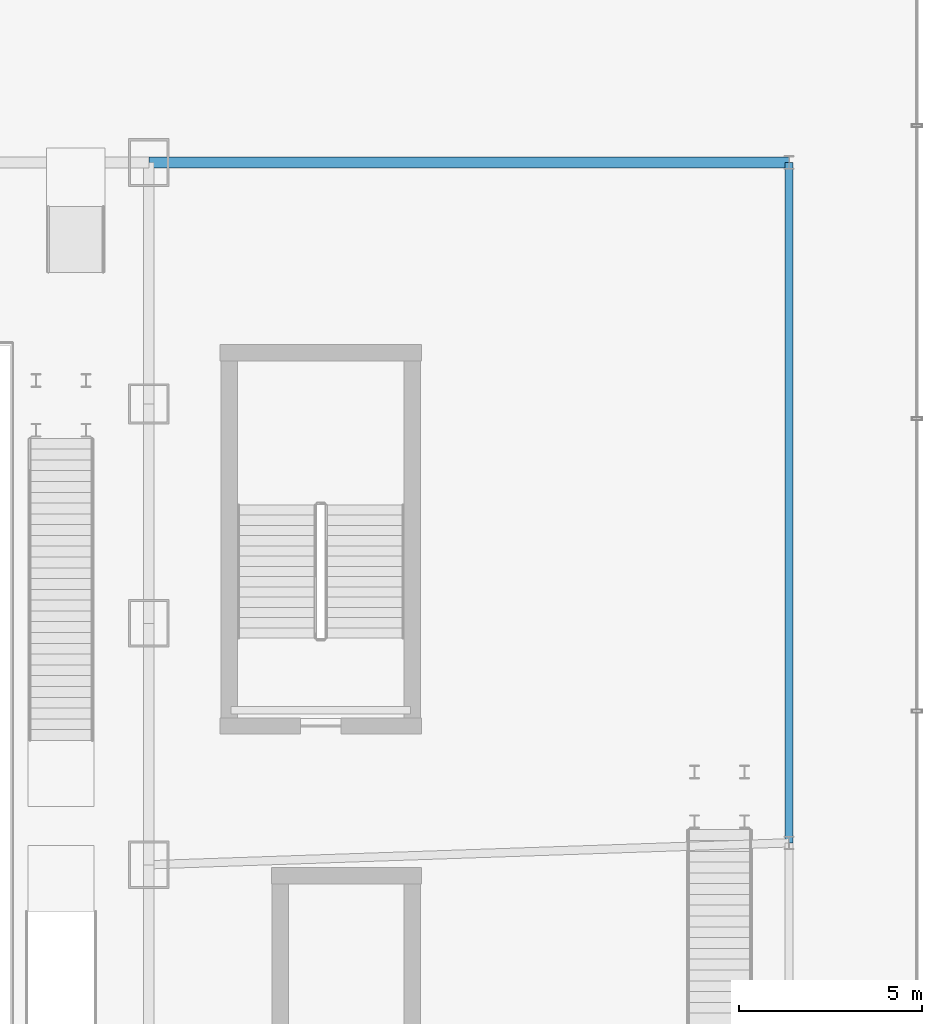
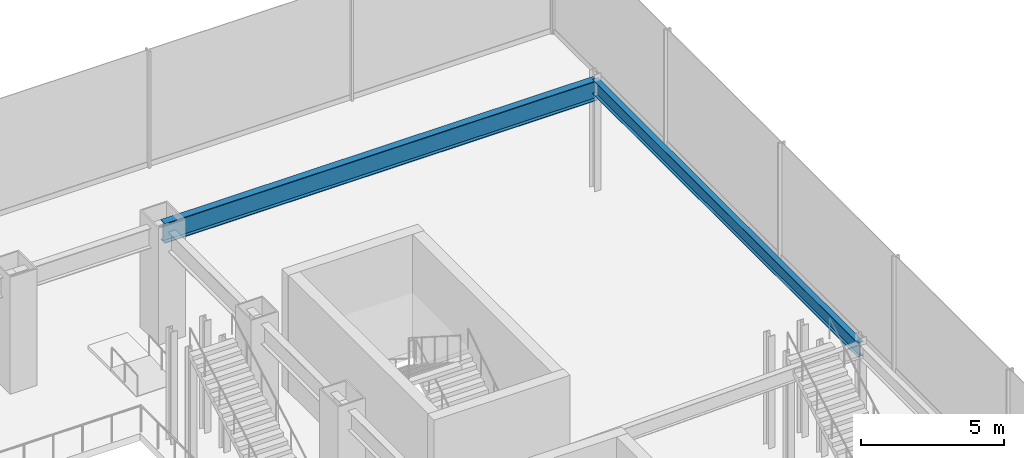
# One storey, part 24 of 40: 2 beams.
"""IFC4 building model written with IfcOpenShell, lengths in metres."""

from ifc_helpers import new_model, si_unit, derived_unit, direction, frame, origin, origin_2d, place, context, subcontext, project, spatial, i_section, extrude, source, transform, mapped, material, material_profile, profile_set, type_object, element, save


model = new_model("IFC4")

# Units and contexts
model_context = context("Model", 3, precision=1e-05, world=origin(), true_north=direction((0.0, 1.0)))
body_context = subcontext(model_context, "Body", "Model", "MODEL_VIEW")
ifc_project = project(units=[si_unit("LENGTHUNIT", "METRE"), si_unit("AREAUNIT", "SQUARE_METRE"), si_unit("VOLUMEUNIT", "CUBIC_METRE"), si_unit("PLANEANGLEUNIT", "RADIAN"), si_unit("MASSUNIT", "GRAM", prefix="KILO"), derived_unit("THERMALTRANSMITTANCEUNIT", [(si_unit("POWERUNIT", "WATT"), 1), (si_unit("LENGTHUNIT", "METRE"), -2), (si_unit("THERMODYNAMICTEMPERATUREUNIT", "KELVIN"), -1)])], contexts=[model_context])

# Site, building, storey
site_placement = place(None, origin())
site = spatial("IfcSite", under=ifc_project, at=site_placement, CompositionType="ELEMENT")
building_placement = place(site_placement, origin())
building = spatial("IfcBuilding", under=site, at=building_placement, Name="Skarnbrae Concourse Arena and Tower", CompositionType="ELEMENT")
storey_placement = place(building_placement, frame((0.0, 0.0, 6.0)))
storey = spatial("IfcBuildingStorey", under=building, at=storey_placement, Name="L01", CompositionType="ELEMENT", Elevation=6.0)

# Beams
ifc_material = material(Name="Steel CSA G40.21 350W", Category="steel")
ifc_material_profile_1 = material_profile(ifc_material, i_section(OverallWidth=0.2939453125, OverallDepth=0.85107421875, WebThickness=0.01611328125, FlangeThickness=0.02685546875, at=origin_2d()), Name="W840X226")
ifc_profile_set_1 = profile_set([ifc_material_profile_1], Name="Steel CSA G40.21 350W")
beam_type_1 = type_object("IfcBeamType", Name="BM-GIRD-W840X226", PredefinedType="BEAM", material=ifc_profile_set_1)
shared_shape_1 = source(origin(), body_context, "Body", "SweptSolid", [
    extrude(i_section(OverallWidth=0.2939453125, OverallDepth=0.85107421875, WebThickness=0.01611328125, FlangeThickness=0.02685546875, at=origin_2d()), origin(), (0.0, 0.0, 1.0), 17.5),
])
beam_1_placement = place(storey_placement, frame((61.0, 47.0, 4.2744140625), z_axis=(1.0, 0.0, 0.0), x_axis=(0.0, 1.0, 0.0)))
element("IfcBeam", 1, at=beam_1_placement, inside=storey, type_object=beam_type_1, Name="L01 Podium north girder 10", PredefinedType="BEAM", context=body_context, shape_type="MappedRepresentation", body=[
    mapped(shared_shape_1, transform((0.0, 0.0, 0.0))),
])
ifc_material_profile_2 = material_profile(ifc_material, i_section(OverallWidth=0.22802734375, OverallDepth=0.60791015625, WebThickness=0.01123046875, FlangeThickness=0.017333984375, at=origin_2d()), Name="W610X113")
ifc_profile_set_2 = profile_set([ifc_material_profile_2], Name="Steel CSA G40.21 350W")
beam_type_2 = type_object("IfcBeamType", Name="BM-GIRD-W610X113", PredefinedType="BEAM", material=ifc_profile_set_2)
shared_shape_2 = source(origin(), body_context, "Body", "SweptSolid", [
    extrude(i_section(OverallWidth=0.22802734375, OverallDepth=0.60791015625, WebThickness=0.01123046875, FlangeThickness=0.017333984375, at=origin_2d()), origin(), (0.0, 0.0, 1.0), 18.60009765625),
])
beam_2_placement = place(storey_placement, frame((78.5, 28.39990234375, 4.39599609375), z_axis=(0.0, 1.0, 0.0), x_axis=(-1.0, 0.0, 0.0)))
element("IfcBeam", 2, at=beam_2_placement, inside=storey, type_object=beam_type_2, Name="L01 Podium outer east girder 3", PredefinedType="BEAM", context=body_context, shape_type="MappedRepresentation", body=[
    mapped(shared_shape_2, transform((0.0, 0.0, 0.0))),
])

save(model, "model.ifc")
